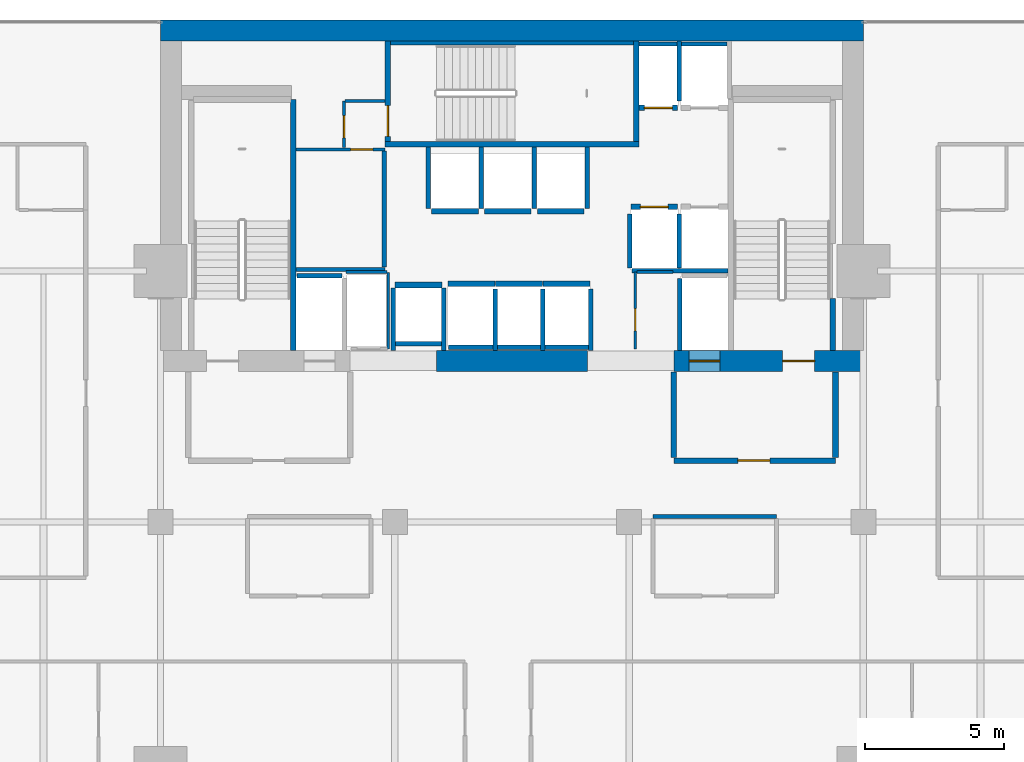
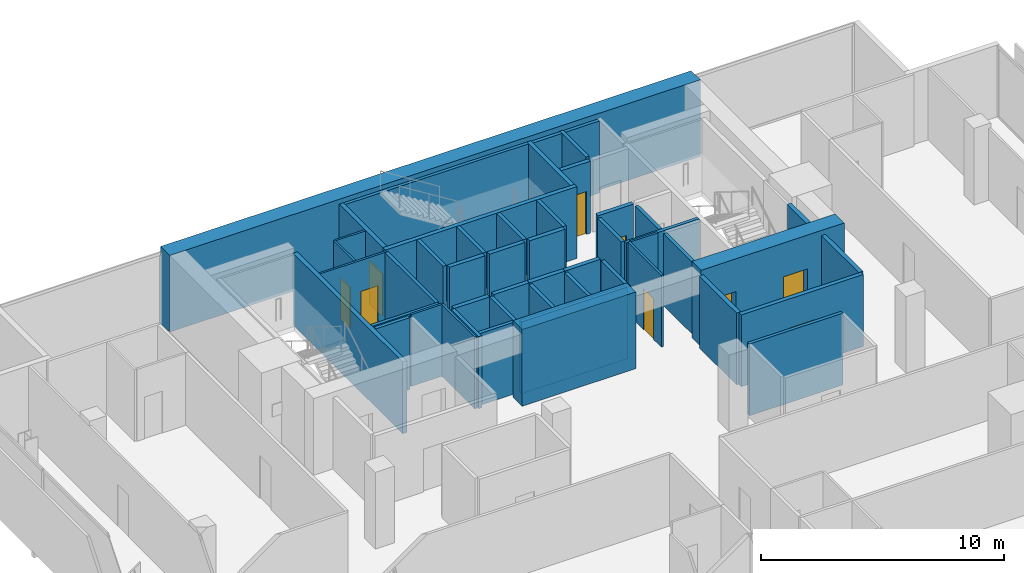
# One storey, part 29 of 32: 49 walls, 9 doors, 9 openings.
"""IFC4 building model written with IfcOpenShell, lengths in metres."""

from ifc_helpers import new_model, si_unit, direction, frame, frame_2d, origin, place, context, subcontext, project, spatial, rectangle, extrude, material, layer, layer_set, type_object, element, fill, save


model = new_model("IFC4")

# Units and contexts
model_context = context("Model", 3, precision=1e-05, world=origin(), true_north=direction((0.0, 1.0)))
body_context = subcontext(model_context, "Body", "Model", "MODEL_VIEW")
ifc_project = project(units=[si_unit("LENGTHUNIT", "METRE"), si_unit("AREAUNIT", "SQUARE_METRE"), si_unit("VOLUMEUNIT", "CUBIC_METRE"), si_unit("PLANEANGLEUNIT", "RADIAN"), si_unit("MASSUNIT", "GRAM", prefix="KILO")], contexts=[model_context])

# Site, building, storey
site_placement = place(None, origin())
site = spatial("IfcSite", under=ifc_project, at=site_placement, CompositionType="ELEMENT")
building_placement = place(site_placement, origin())
building = spatial("IfcBuilding", under=site, at=building_placement, Name="Maruvema Waterfront Hotel and Observation Tower", CompositionType="ELEMENT")
storey_placement = place(building_placement, frame((0.0, 0.0, 165.89990234375)))
storey = spatial("IfcBuildingStorey", under=building, at=storey_placement, Name="L40", CompositionType="ELEMENT", Elevation=165.89990234375)

# Walls
ifc_material_1 = material(Name="Twin-stud acoustic gypsum drywall", Category="gypsum")
ifc_layer_1 = layer(ifc_material_1, 0.14990234375, Name="Acoustic Corridor and Suite Demising Wall 150 mm")
ifc_layer_set_1 = layer_set([ifc_layer_1], Name="Twin-stud acoustic gypsum drywall")
wall_type_1 = type_object("IfcWallType", Name="Acoustic Corridor and Suite Demising Wall 150 mm", PredefinedType="PARTITIONING", material=ifc_layer_set_1)
wall_1_placement = place(storey_placement, frame((30.06005859375, 45.06005859375, 0.0), z_axis=(0.0, 0.0, 1.0), x_axis=(1.0, 0.0, 0.0)))
element("IfcWall", 1, at=wall_1_placement, inside=storey, type_object=wall_type_1, Name="L40 Freed B1 South Wall 012", PredefinedType="PARTITIONING", context=body_context, shape_type="SweptSolid", body=[
    extrude(rectangle(XDim=3.179931640625, YDim=0.14990234375, at=frame_2d((1.58984375, 0.0))), origin(), (0.0, 0.0, 1.0), 3.610107421875),
])
wall_2_placement = place(storey_placement, frame((33.219970703125, 45.139892578125, 0.0), z_axis=(0.0, 0.0, 1.0), x_axis=(0.0, 1.0, 0.0)))
element("IfcWall", 2, at=wall_2_placement, inside=storey, type_object=wall_type_1, Name="L40 Freed B1 East Wall 013", PredefinedType="PARTITIONING", context=body_context, shape_type="SweptSolid", body=[
    extrude(rectangle(XDim=4.16015625, YDim=0.14990234375, at=frame_2d((2.080078125, 0.0))), origin(), (0.0, 0.0, 1.0), 3.610107421875),
])
wall_3_placement = place(storey_placement, frame((42.85009765625, 36.199951171875, 0.0), z_axis=(0.0, 0.0, 1.0), x_axis=(1.0, 0.0, 0.0)))
element("IfcWall", 3, at=wall_3_placement, inside=storey, type_object=wall_type_1, Name="L40 L40-M2 Back Wall 021", PredefinedType="PARTITIONING", context=body_context, shape_type="SweptSolid", body=[
    extrude(rectangle(XDim=4.429931640625, YDim=0.14990234375, at=frame_2d((2.21484375, 0.0))), origin(), (0.0, 0.0, 1.0), 3.610107421875),
])
ifc_material_2 = material(Name="Precast concrete C45/55", Category="concrete")
ifc_layer_2 = layer(ifc_material_2, 0.14990234375, Name="Core Shaft Furring Wall 150 mm")
ifc_layer_set_2 = layer_set([ifc_layer_2], Name="Precast concrete C45/55")
wall_type_2 = type_object("IfcWallType", Name="Core Shaft Furring Wall 150 mm", PredefinedType="SOLIDWALL", material=ifc_layer_set_2)
wall_4_placement = place(storey_placement, frame((33.449951171875, 53.175048828125, 0.0), z_axis=(0.0, 0.0, 1.0), x_axis=(1.0, 0.0, 0.0)))
element("IfcWall", 4, at=wall_4_placement, inside=storey, type_object=wall_type_2, Name="L40 Stairwell ST-02 North Furring Wall", PredefinedType="SOLIDWALL", context=body_context, shape_type="SweptSolid", body=[
    extrude(rectangle(XDim=8.699951171875, YDim=0.14990234375, at=frame_2d((4.35009765625, 0.0))), origin(), (0.0, 0.0, 1.0), 3.610107421875),
])
ifc_material_3 = material(Name="Precast concrete C45/55", Category="concrete")
ifc_layer_3 = layer(ifc_material_3, 0.199951171875, Name="Core Shaft and Stairwell Enclosure Wall 200 mm")
ifc_layer_set_3 = layer_set([ifc_layer_3], Name="Precast concrete C45/55")
wall_type_3 = type_object("IfcWallType", Name="Core Shaft and Stairwell Enclosure Wall 200 mm", PredefinedType="SOLIDWALL", material=ifc_layer_set_3)
wall_5_placement = place(storey_placement, frame((29.949951171875, 42.14990234375, 0.0), z_axis=(0.0, 0.0, 1.0), x_axis=(0.0, 1.0, 0.0)))
element("IfcWall", 5, at=wall_5_placement, inside=storey, type_object=wall_type_3, Name="L40 Stairwell ST-01 East Shaft Wall", PredefinedType="SOLIDWALL", context=body_context, shape_type="SweptSolid", body=[
    extrude(rectangle(XDim=9.0, YDim=0.199951171875, at=frame_2d((4.5, 0.0))), origin(), (0.0, 0.0, 1.0), 3.610107421875),
])
wall_6_placement = place(storey_placement, frame((33.25, 49.550048828125, 0.0), z_axis=(0.0, 0.0, 1.0), x_axis=(1.0, 0.0, 0.0)))
element("IfcWall", 6, at=wall_6_placement, inside=storey, type_object=wall_type_3, Name="L40 Stairwell ST-02 Shaft Wall", PredefinedType="SOLIDWALL", context=body_context, shape_type="SweptSolid", body=[
    extrude(rectangle(XDim=9.10009765625, YDim=0.199951171875, at=frame_2d((4.550048828125, 0.0))), origin(), (0.0, 0.0, 1.0), 3.610107421875),
])
wall_7_placement = place(storey_placement, frame((42.25, 49.64990234375, 0.0), z_axis=(0.0, 0.0, 1.0), x_axis=(0.0, 1.0, 0.0)))
element("IfcWall", 7, at=wall_7_placement, inside=storey, type_object=wall_type_3, Name="L40 Stairwell ST-02 Shaft Wall", PredefinedType="SOLIDWALL", context=body_context, shape_type="SweptSolid", body=[
    extrude(rectangle(XDim=3.60009765625, YDim=0.199951171875, at=frame_2d((1.800048828125, 0.0))), origin(), (0.0, 0.0, 1.0), 3.610107421875),
])

# Wall, opening, door
wall_8_placement = place(storey_placement, frame((33.35009765625, 49.64990234375, 0.0), z_axis=(0.0, 0.0, 1.0), x_axis=(0.0, 1.0, 0.0)))
wall_8 = element("IfcWall", 8, at=wall_8_placement, inside=storey, type_object=wall_type_3, Name="L40 Stairwell ST-02 Shaft Wall", PredefinedType="SOLIDWALL", context=body_context, shape_type="SweptSolid", body=[
    extrude(rectangle(XDim=3.60009765625, YDim=0.199951171875, at=frame_2d((1.800048828125, 0.0))), origin(), (0.0, 0.0, 1.0), 3.610107421875),
])
opening_1_placement = place(wall_8_placement, frame((0.179931640625, 0.0, 0.0)))
opening_1 = element("IfcOpeningElement", 9, at=opening_1_placement, cuts=wall_8, Name="Opening SD-02", PredefinedType="OPENING", context=body_context, shape_type="SweptSolid", body=[
    extrude(rectangle(XDim=1.10009765625, YDim=2.14990234375, at=frame_2d((0.550048828125, 1.074951171875))), frame((0.0, 0.10986328125, 0.0), z_axis=(0.0, -1.0, 0.0), x_axis=(1.0, 0.0, 0.0)), (0.0, 0.0, 1.0), 0.219970703125),
])
ifc_material_4 = material(Name="Fire-rated galvanised steel leaf", Category="steel")
door_type_1 = type_object("IfcDoorType", Name="Central Exit Stair Fire Door 1100x2150 mm", OperationType="NOTDEFINED", PredefinedType="DOOR", material=ifc_material_4)
door_1_placement = place(opening_1_placement, frame((1.10009765625, 0.0, 0.0), z_axis=(0.0, 0.0, 1.0), x_axis=(-1.0, 0.0, 0.0)))
door_1 = element("IfcDoor", 10, at=door_1_placement, inside=storey, type_object=door_type_1, Name="L40 Exit Stair ST-02 Fire Door", OperationType="SINGLE_SWING_LEFT", OverallHeight=2.14990234375, OverallWidth=1.10009765625, PredefinedType="DOOR", context=body_context, shape_type="SweptSolid", body=[
    extrude(rectangle(XDim=1.10009765625, YDim=2.14990234375, at=frame_2d((0.550048828125, 1.074951171875))), frame((0.0, 0.02490234375, 0.0), z_axis=(0.0, -1.0, 0.0), x_axis=(1.0, 0.0, 0.0)), (0.0, 0.0, 1.0), 0.050048828125),
])
fill(opening_1, door_1)

# Wall
wall_9_placement = place(storey_placement, frame((49.300048828125, 42.14990234375, 0.0), z_axis=(0.0, 0.0, 1.0), x_axis=(0.0, 1.0, 0.0)))
element("IfcWall", 11, at=wall_9_placement, inside=storey, type_object=wall_type_3, Name="L40 Stairwell ST-03 Shaft Lining Wall", PredefinedType="SOLIDWALL", context=body_context, shape_type="SweptSolid", body=[
    extrude(rectangle(XDim=1.8701171875, YDim=0.199951171875, at=frame_2d((0.93505859375, 0.0))), origin(), (0.0, 0.0, 1.0), 3.610107421875),
])

# Wall, opening, door
wall_10_placement = place(storey_placement, frame((42.06005859375, 47.300048828125, 0.0), z_axis=(0.0, 0.0, 1.0), x_axis=(1.0, 0.0, 0.0)))
wall_10 = element("IfcWall", 12, at=wall_10_placement, inside=storey, type_object=wall_type_3, Name="L40 Lift LF-05 Hoistway Front Wall", PredefinedType="SOLIDWALL", context=body_context, shape_type="SweptSolid", body=[
    extrude(rectangle(XDim=1.679931640625, YDim=0.199951171875, at=frame_2d((0.83984375, 0.0))), origin(), (0.0, 0.0, 1.0), 3.610107421875),
])
opening_2_placement = place(wall_10_placement, frame((0.340087890625, 0.0, 0.0)))
opening_2 = element("IfcOpeningElement", 13, at=opening_2_placement, cuts=wall_10, Name="Opening LD-01", PredefinedType="OPENING", context=body_context, shape_type="SweptSolid", body=[
    extrude(rectangle(XDim=1.0, YDim=2.14990234375, at=frame_2d((0.5, 1.074951171875))), frame((0.0, 0.10986328125, 0.0), z_axis=(0.0, -1.0, 0.0), x_axis=(1.0, 0.0, 0.0)), (0.0, 0.0, 1.0), 0.219970703125),
])
ifc_material_5 = material(Name="Brushed stainless steel Grade 316", Category="steel")
door_type_2 = type_object("IfcDoorType", Name="Passenger Lift Sliding Landing Door 1000x2150 mm", OperationType="SLIDING_TO_LEFT", PredefinedType="DOOR", material=ifc_material_5)
door_2_placement = place(opening_2_placement, origin())
door_2 = element("IfcDoor", 14, at=door_2_placement, inside=storey, type_object=door_type_2, Name="L40 Lift LF-05 Sliding Landing Door", OperationType="SLIDING_TO_LEFT", OverallHeight=2.14990234375, OverallWidth=1.0, PredefinedType="DOOR", context=body_context, shape_type="SweptSolid", body=[
    extrude(rectangle(XDim=1.0, YDim=2.14990234375, at=frame_2d((0.5, 1.074951171875))), frame((0.0, 0.02490234375, 0.0), z_axis=(0.0, -1.0, 0.0), x_axis=(1.0, 0.0, 0.0)), (0.0, 0.0, 1.0), 0.050048828125),
])
fill(opening_2, door_2)

wall_11_placement = place(storey_placement, frame((42.360107421875, 50.85009765625, 0.0), z_axis=(0.0, 0.0, 1.0), x_axis=(1.0, 0.0, 0.0)))
wall_11 = element("IfcWall", 15, at=wall_11_placement, inside=storey, type_object=wall_type_3, Name="L40 Lift LF-07 Hoistway Front Wall", PredefinedType="SOLIDWALL", context=body_context, shape_type="SweptSolid", body=[
    extrude(rectangle(XDim=1.3798828125, YDim=0.199951171875, at=frame_2d((0.68994140625, 0.0))), origin(), (0.0, 0.0, 1.0), 3.610107421875),
])
opening_3_placement = place(wall_11_placement, frame((0.18994140625, 0.0, 0.0)))
opening_3 = element("IfcOpeningElement", 16, at=opening_3_placement, cuts=wall_11, Name="Opening LD-01", PredefinedType="OPENING", context=body_context, shape_type="SweptSolid", body=[
    extrude(rectangle(XDim=1.0, YDim=2.14990234375, at=frame_2d((0.5, 1.074951171875))), frame((0.0, 0.10986328125, 0.0), z_axis=(0.0, -1.0, 0.0), x_axis=(1.0, 0.0, 0.0)), (0.0, 0.0, 1.0), 0.219970703125),
])
door_3_placement = place(opening_3_placement, frame((1.0, 0.0, 0.0), z_axis=(0.0, 0.0, 1.0), x_axis=(-1.0, 0.0, 0.0)))
door_3 = element("IfcDoor", 17, at=door_3_placement, inside=storey, type_object=door_type_2, Name="L40 Lift LF-07 Sliding Landing Door", OperationType="SLIDING_TO_LEFT", OverallHeight=2.14990234375, OverallWidth=1.0, PredefinedType="DOOR", context=body_context, shape_type="SweptSolid", body=[
    extrude(rectangle(XDim=1.0, YDim=2.14990234375, at=frame_2d((0.5, 1.074951171875))), frame((0.0, 0.02490234375, 0.0), z_axis=(0.0, -1.0, 0.0), x_axis=(1.0, 0.0, 0.0)), (0.0, 0.0, 1.0), 0.050048828125),
])
fill(opening_3, door_3)

# Walls
for number, where, z_axis, x_axis, name in (
    (18, (35.510009765625, 44.550048828125, 0.0), (0.0, 0.0, 1.0), (1.0, 0.0, 0.0), "L40 Lift LF-09 Hoistway Front Wall"),
    (19, (37.2099609375, 44.550048828125, 0.0), (0.0, 0.0, 1.0), (1.0, 0.0, 0.0), "L40 Lift LF-10 Hoistway Front Wall"),
):
    element("IfcWall", number, at=place(storey_placement, frame(where, z_axis=z_axis, x_axis=x_axis)), inside=storey, type_object=wall_type_3, Name=name, PredefinedType="SOLIDWALL", context=body_context, shape_type="SweptSolid", body=[
        extrude(rectangle(XDim=1.679931640625, YDim=0.199951171875, at=frame_2d((0.83984375, 0.0))), origin(), (0.0, 0.0, 1.0), 3.610107421875),
    ])
for number, where, z_axis, x_axis, name in (
    (20, (38.909912109375, 44.550048828125, 0.0), (0.0, 0.0, 1.0), (1.0, 0.0, 0.0), "L40 Lift LF-11 Hoistway Front Wall"),
    (21, (34.909912109375, 47.14990234375, 0.0), (0.0, 0.0, 1.0), (1.0, 0.0, 0.0), "L40 Lift LF-12 Hoistway Front Wall"),
):
    element("IfcWall", number, at=place(storey_placement, frame(where, z_axis=z_axis, x_axis=x_axis)), inside=storey, type_object=wall_type_3, Name=name, PredefinedType="SOLIDWALL", context=body_context, shape_type="SweptSolid", body=[
        extrude(rectangle(XDim=1.68017578125, YDim=0.199951171875, at=frame_2d((0.840087890625, 0.0))), origin(), (0.0, 0.0, 1.0), 3.610107421875),
    ])
for number, where, z_axis, x_axis, name in (
    (22, (36.81005859375, 47.14990234375, 0.0), (0.0, 0.0, 1.0), (1.0, 0.0, 0.0), "L40 Lift LF-13 Hoistway Front Wall"),
    (23, (38.7099609375, 47.14990234375, 0.0), (0.0, 0.0, 1.0), (1.0, 0.0, 0.0), "L40 Lift LF-14 Hoistway Front Wall"),
    (24, (33.610107421875, 44.5, 0.0), (0.0, 0.0, 1.0), (1.0, 0.0, 0.0), "L40 Lift LF-15 Hoistway Front Wall"),
):
    element("IfcWall", number, at=place(storey_placement, frame(where, z_axis=z_axis, x_axis=x_axis)), inside=storey, type_object=wall_type_3, Name=name, PredefinedType="SOLIDWALL", context=body_context, shape_type="SweptSolid", body=[
        extrude(rectangle(XDim=1.679931640625, YDim=0.199951171875, at=frame_2d((0.83984375, 0.0))), origin(), (0.0, 0.0, 1.0), 3.610107421875),
    ])
ifc_material_6 = material(Name="Concrete C70/85", Category="concrete")
ifc_layer_4 = layer(ifc_material_6, 0.75, Name="Core Shear Wall 750 mm")
ifc_layer_set_4 = layer_set([ifc_layer_4], Name="Concrete C70/85")
wall_type_4 = type_object("IfcWallType", Name="Core Shear Wall 750 mm", PredefinedType="SHEAR", material=ifc_layer_set_4)
wall_12_placement = place(storey_placement, frame((25.199951171875, 53.625, 0.0), z_axis=(0.0, 0.0, 1.0), x_axis=(1.0, 0.0, 0.0)))
element("IfcWall", 25, at=wall_12_placement, inside=storey, type_object=wall_type_4, Name="L40 North Core Shear Wall", PredefinedType="SHEAR", context=body_context, shape_type="SweptSolid", body=[
    extrude(rectangle(XDim=25.199951171875, YDim=0.75, at=frame_2d((12.60009765625, 0.0))), origin(), (0.0, 0.0, 1.0), 3.85009765625),
])
wall_13_placement = place(storey_placement, frame((35.10009765625, 41.77490234375, 0.0), z_axis=(0.0, 0.0, 1.0), x_axis=(1.0, 0.0, 0.0)))
element("IfcWall", 26, at=wall_13_placement, inside=storey, type_object=wall_type_4, Name="L40 South-Central Core Shear Wall", PredefinedType="SHEAR", context=body_context, shape_type="SweptSolid", body=[
    extrude(rectangle(XDim=5.39990234375, YDim=0.75, at=frame_2d((2.699951171875, 0.0))), origin(), (0.0, 0.0, 1.0), 3.85009765625),
])

# Wall, openings, doors
wall_14_placement = place(storey_placement, frame((43.60009765625, 41.77490234375, 0.0), z_axis=(0.0, 0.0, 1.0), x_axis=(1.0, 0.0, 0.0)))
wall_14 = element("IfcWall", 27, at=wall_14_placement, inside=storey, type_object=wall_type_4, Name="L40 South-East Core Shear Wall", PredefinedType="SHEAR", context=body_context, shape_type="SweptSolid", body=[
    extrude(rectangle(XDim=6.7998046875, YDim=0.75, at=frame_2d((3.39990234375, 0.0))), origin(), (0.0, 0.0, 1.0), 3.85009765625),
])
opening_4_placement = place(wall_14_placement, frame((3.89990234375, 0.0, 0.0)))
opening_4 = element("IfcOpeningElement", 28, at=opening_4_placement, cuts=wall_14, Name="Opening SD-01", PredefinedType="OPENING", context=body_context, shape_type="SweptSolid", body=[
    extrude(rectangle(XDim=1.14990234375, YDim=2.14990234375, at=frame_2d((0.574951171875, 1.074951171875))), frame((0.0, 0.385009765625, 0.0), z_axis=(0.0, -1.0, 0.0), x_axis=(1.0, 0.0, 0.0)), (0.0, 0.0, 1.0), 0.77001953125),
])
opening_5_placement = place(wall_14_placement, frame((0.550048828125, 0.0, 0.0)))
opening_5 = element("IfcOpeningElement", 29, at=opening_5_placement, cuts=wall_14, Name="Opening LD-03", PredefinedType="OPENING", context=body_context, shape_type="SweptSolid", body=[
    extrude(rectangle(XDim=1.10009765625, YDim=2.199951171875, at=frame_2d((0.550048828125, 1.10009765625))), frame((0.0, 0.385009765625, 0.0), z_axis=(0.0, -1.0, 0.0), x_axis=(1.0, 0.0, 0.0)), (0.0, 0.0, 1.0), 0.77001953125),
])
ifc_material_7 = material(Name="Fire-rated galvanised steel leaf", Category="steel")
door_type_3 = type_object("IfcDoorType", Name="Exit Stair Fire Door 1150x2150 mm", OperationType="NOTDEFINED", PredefinedType="DOOR", material=ifc_material_7)
door_4_placement = place(opening_4_placement, origin())
door_4 = element("IfcDoor", 30, at=door_4_placement, inside=storey, type_object=door_type_3, Name="L40 Exit Stair ST-03 Fire Door", OperationType="SINGLE_SWING_RIGHT", OverallHeight=2.14990234375, OverallWidth=1.14990234375, PredefinedType="DOOR", context=body_context, shape_type="SweptSolid", body=[
    extrude(rectangle(XDim=1.14990234375, YDim=2.14990234375, at=frame_2d((0.574951171875, 1.074951171875))), frame((0.0, 0.02490234375, 0.0), z_axis=(0.0, -1.0, 0.0), x_axis=(1.0, 0.0, 0.0)), (0.0, 0.0, 1.0), 0.050048828125),
])
fill(opening_4, door_4)
ifc_material_8 = material(Name="Brushed stainless steel Grade 316", Category="steel")
door_type_4 = type_object("IfcDoorType", Name="Firefighting Lift Sliding Landing Door 1100x2200 mm", OperationType="SLIDING_TO_LEFT", PredefinedType="DOOR", material=ifc_material_8)
door_5_placement = place(opening_5_placement, frame((1.10009765625, 0.0, 0.0), z_axis=(0.0, 0.0, 1.0), x_axis=(-1.0, 0.0, 0.0)))
door_5 = element("IfcDoor", 31, at=door_5_placement, inside=storey, type_object=door_type_4, Name="L40 Firefighting Lift FL-02 Landing Door", OperationType="SLIDING_TO_LEFT", OverallHeight=2.199951171875, OverallWidth=1.10009765625, PredefinedType="DOOR", context=body_context, shape_type="SweptSolid", body=[
    extrude(rectangle(XDim=1.10009765625, YDim=2.199951171875, at=frame_2d((0.550048828125, 1.10009765625))), frame((0.0, 0.02490234375, 0.0), z_axis=(0.0, -1.0, 0.0), x_axis=(1.0, 0.0, 0.0)), (0.0, 0.0, 1.0), 0.050048828125),
])
fill(opening_5, door_5)

# Walls
ifc_material_9 = material(Name="Moisture-resistant cement-board drywall", Category="gypsum")
ifc_layer_5 = layer(ifc_material_9, 0.10009765625, Name="En-Suite Moisture-Resistant Partition 100 mm")
ifc_layer_set_5 = layer_set([ifc_layer_5], Name="Moisture-resistant cement-board drywall")
wall_type_5 = type_object("IfcWallType", Name="En-Suite Moisture-Resistant Partition 100 mm", PredefinedType="PARTITIONING", material=ifc_layer_set_5)
wall_15_placement = place(storey_placement, frame((31.840087890625, 44.9599609375, 0.0), z_axis=(0.0, 0.0, 1.0), x_axis=(1.0, 0.0, 0.0)))
element("IfcWall", 32, at=wall_15_placement, inside=storey, type_object=wall_type_5, Name="L40 Telecom Riser North Wall 008", PredefinedType="PARTITIONING", context=body_context, shape_type="SweptSolid", body=[
    extrude(rectangle(XDim=1.47998046875, YDim=0.10009765625, at=frame_2d((0.739990234375, 0.0))), origin(), (0.0, 0.0, 1.0), 3.610107421875),
])
wall_16_placement = place(storey_placement, frame((33.360107421875, 42.2099609375, 0.0), z_axis=(0.0, 0.0, 1.0), x_axis=(0.0, 1.0, 0.0)))
element("IfcWall", 33, at=wall_16_placement, inside=storey, type_object=wall_type_5, Name="L40 Telecom Riser East Wall 009", PredefinedType="PARTITIONING", context=body_context, shape_type="SweptSolid", body=[
    extrude(rectangle(XDim=2.72998046875, YDim=0.10009765625, at=frame_2d((1.364990234375, 0.0))), origin(), (0.0, 0.0, 1.0), 3.610107421875),
])

# Wall, opening, door
wall_17_placement = place(storey_placement, frame((42.219970703125, 42.199951171875, 0.0), z_axis=(0.0, 0.0, 1.0), x_axis=(0.0, 1.0, 0.0)))
wall_17 = element("IfcWall", 34, at=wall_17_placement, inside=storey, type_object=wall_type_5, Name="L40 Core Closet K1 West 010", PredefinedType="PARTITIONING", context=body_context, shape_type="SweptSolid", body=[
    extrude(rectangle(XDim=2.760009765625, YDim=0.10009765625, at=frame_2d((1.3798828125, 0.0))), origin(), (0.0, 0.0, 1.0), 3.610107421875),
])
opening_6_placement = place(wall_17_placement, frame((0.64990234375, 0.0, 0.0)))
opening_6 = element("IfcOpeningElement", 35, at=opening_6_placement, cuts=wall_17, Name="Opening DR-080", PredefinedType="OPENING", context=body_context, shape_type="SweptSolid", body=[
    extrude(rectangle(XDim=0.800048828125, YDim=2.050048828125, at=frame_2d((0.39990234375, 1.02490234375))), frame((0.0, 0.06005859375, 0.0), z_axis=(0.0, -1.0, 0.0), x_axis=(1.0, 0.0, 0.0)), (0.0, 0.0, 1.0), 0.1201171875),
])
ifc_material_10 = material(Name="Powder-coated steel access leaf", Category="steel")
door_type_5 = type_object("IfcDoorType", Name="Riser and Service Cupboard Door 800x2050 mm", OperationType="NOTDEFINED", PredefinedType="DOOR", material=ifc_material_10)
door_6_placement = place(opening_6_placement, frame((0.800048828125, 0.0, 0.0), z_axis=(0.0, 0.0, 1.0), x_axis=(-1.0, 0.0, 0.0)))
door_6 = element("IfcDoor", 36, at=door_6_placement, inside=storey, type_object=door_type_5, Name="L40 Core Cleaning Store Door", OperationType="SINGLE_SWING_RIGHT", OverallHeight=2.050048828125, OverallWidth=0.800048828125, PredefinedType="DOOR", context=body_context, shape_type="SweptSolid", body=[
    extrude(rectangle(XDim=0.800048828125, YDim=2.050048828125, at=frame_2d((0.39990234375, 1.02490234375))), frame((0.0, 0.02490234375, 0.0), z_axis=(0.0, -1.0, 0.0), x_axis=(1.0, 0.0, 0.0)), (0.0, 0.0, 1.0), 0.050048828125),
])
fill(opening_6, door_6)

# Wall
wall_18_placement = place(storey_placement, frame((42.280029296875, 44.9599609375, 0.0), z_axis=(0.0, 0.0, 1.0), x_axis=(1.0, 0.0, 0.0)))
element("IfcWall", 37, at=wall_18_placement, inside=storey, type_object=wall_type_5, Name="L40 Core Closet K1 North 011", PredefinedType="PARTITIONING", context=body_context, shape_type="SweptSolid", body=[
    extrude(rectangle(XDim=1.300048828125, YDim=0.10009765625, at=frame_2d((0.64990234375, 0.0))), origin(), (0.0, 0.0, 1.0), 3.610107421875),
])

# Wall, opening, door
wall_19_placement = place(storey_placement, frame((30.06005859375, 49.360107421875, 0.0), z_axis=(0.0, 0.0, 1.0), x_axis=(1.0, 0.0, 0.0)))
wall_19 = element("IfcWall", 38, at=wall_19_placement, inside=storey, type_object=wall_type_5, Name="L40 Freed B1 Mid Wall 014", PredefinedType="PARTITIONING", context=body_context, shape_type="SweptSolid", body=[
    extrude(rectangle(XDim=3.179931640625, YDim=0.10009765625, at=frame_2d((1.58984375, 0.0))), origin(), (0.0, 0.0, 1.0), 3.610107421875),
])
opening_7_placement = place(wall_19_placement, frame((1.949951171875, 0.0, 0.0)))
opening_7 = element("IfcOpeningElement", 39, at=opening_7_placement, cuts=wall_19, Name="Opening DR-080", PredefinedType="OPENING", context=body_context, shape_type="SweptSolid", body=[
    extrude(rectangle(XDim=0.800048828125, YDim=2.050048828125, at=frame_2d((0.39990234375, 1.02490234375))), frame((0.0, 0.06005859375, 0.0), z_axis=(0.0, -1.0, 0.0), x_axis=(1.0, 0.0, 0.0)), (0.0, 0.0, 1.0), 0.1201171875),
])
door_7_placement = place(opening_7_placement, origin())
door_7 = element("IfcDoor", 40, at=door_7_placement, inside=storey, type_object=door_type_5, Name="L40 Housekeeping and Linen Room Door", OperationType="SINGLE_SWING_LEFT", OverallHeight=2.050048828125, OverallWidth=0.800048828125, PredefinedType="DOOR", context=body_context, shape_type="SweptSolid", body=[
    extrude(rectangle(XDim=0.800048828125, YDim=2.050048828125, at=frame_2d((0.39990234375, 1.02490234375))), frame((0.0, 0.02490234375, 0.0), z_axis=(0.0, -1.0, 0.0), x_axis=(1.0, 0.0, 0.0)), (0.0, 0.0, 1.0), 0.050048828125),
])
fill(opening_7, door_7)

wall_20_placement = place(storey_placement, frame((31.780029296875, 49.419921875, 0.0), z_axis=(0.0, 0.0, 1.0), x_axis=(0.0, 1.0, 0.0)))
wall_20 = element("IfcWall", 41, at=wall_20_placement, inside=storey, type_object=wall_type_5, Name="L40 Freed B1 NW East Wall 015", PredefinedType="PARTITIONING", context=body_context, shape_type="SweptSolid", body=[
    extrude(rectangle(XDim=1.68017578125, YDim=0.10009765625, at=frame_2d((0.840087890625, 0.0))), origin(), (0.0, 0.0, 1.0), 3.610107421875),
])
opening_8_placement = place(wall_20_placement, frame((0.35009765625, 0.0, 0.0)))
opening_8 = element("IfcOpeningElement", 42, at=opening_8_placement, cuts=wall_20, Name="Opening DR-080", PredefinedType="OPENING", context=body_context, shape_type="SweptSolid", body=[
    extrude(rectangle(XDim=0.800048828125, YDim=2.050048828125, at=frame_2d((0.39990234375, 1.02490234375))), frame((0.0, 0.06005859375, 0.0), z_axis=(0.0, -1.0, 0.0), x_axis=(1.0, 0.0, 0.0)), (0.0, 0.0, 1.0), 0.1201171875),
])
door_8_placement = place(opening_8_placement, origin())
door_8 = element("IfcDoor", 43, at=door_8_placement, inside=storey, type_object=door_type_5, Name="L40 Guest Floor Pantry Door", OperationType="SINGLE_SWING_RIGHT", OverallHeight=2.050048828125, OverallWidth=0.800048828125, PredefinedType="DOOR", context=body_context, shape_type="SweptSolid", body=[
    extrude(rectangle(XDim=0.800048828125, YDim=2.050048828125, at=frame_2d((0.39990234375, 1.02490234375))), frame((0.0, 0.02490234375, 0.0), z_axis=(0.0, -1.0, 0.0), x_axis=(1.0, 0.0, 0.0)), (0.0, 0.0, 1.0), 0.050048828125),
])
fill(opening_8, door_8)

# Wall
wall_21_placement = place(storey_placement, frame((31.820068359375, 51.10009765625, 0.0), z_axis=(0.0, 0.0, 1.0), x_axis=(1.0, 0.0, 0.0)))
element("IfcWall", 44, at=wall_21_placement, inside=storey, type_object=wall_type_5, Name="L40 Freed B1 Vestibule North Wall 016", PredefinedType="PARTITIONING", context=body_context, shape_type="SweptSolid", body=[
    extrude(rectangle(XDim=1.419921875, YDim=0.10009765625, at=frame_2d((0.7099609375, 0.0))), origin(), (0.0, 0.0, 1.0), 3.610107421875),
])

# Wall, opening, door
ifc_material_11 = material(Name="Autoclaved cellular concrete blockwork", Category="masonry")
ifc_layer_6 = layer(ifc_material_11, 0.199951171875, Name="Fire Compartment Masonry Wall 200 mm")
ifc_layer_set_6 = layer_set([ifc_layer_6], Name="Autoclaved cellular concrete blockwork")
wall_type_6 = type_object("IfcWallType", Name="Fire Compartment Masonry Wall 200 mm", PredefinedType="PARTITIONING", material=ifc_layer_set_6)
wall_22_placement = place(storey_placement, frame((43.60009765625, 38.199951171875, 0.0), z_axis=(0.0, 0.0, 1.0), x_axis=(1.0, 0.0, 0.0)))
wall_22 = element("IfcWall", 45, at=wall_22_placement, inside=storey, type_object=wall_type_6, Name="L40 FFL East South Wall 004", PredefinedType="PARTITIONING", context=body_context, shape_type="SweptSolid", body=[
    extrude(rectangle(XDim=5.7998046875, YDim=0.199951171875, at=frame_2d((2.89990234375, 0.0))), origin(), (0.0, 0.0, 1.0), 3.610107421875),
])
opening_9_placement = place(wall_22_placement, frame((2.300048828125, 0.0, 0.0)))
opening_9 = element("IfcOpeningElement", 46, at=opening_9_placement, cuts=wall_22, Name="Opening FD-115", PredefinedType="OPENING", context=body_context, shape_type="SweptSolid", body=[
    extrude(rectangle(XDim=1.14990234375, YDim=2.14990234375, at=frame_2d((0.574951171875, 1.074951171875))), frame((0.0, 0.10986328125, 0.0), z_axis=(0.0, -1.0, 0.0), x_axis=(1.0, 0.0, 0.0)), (0.0, 0.0, 1.0), 0.219970703125),
])
ifc_material_12 = material(Name="Fire-rated galvanised steel and vision glass", Category="steel")
door_type_6 = type_object("IfcDoorType", Name="Firefighting Lobby Fire Door 1150x2150 mm", OperationType="NOTDEFINED", PredefinedType="DOOR", material=ifc_material_12)
door_9_placement = place(opening_9_placement, frame((1.14990234375, 0.0, 0.0), z_axis=(0.0, 0.0, 1.0), x_axis=(-1.0, 0.0, 0.0)))
door_9 = element("IfcDoor", 47, at=door_9_placement, inside=storey, type_object=door_type_6, Name="L40 Firefighting Lobby East Door", OperationType="SINGLE_SWING_RIGHT", OverallHeight=2.14990234375, OverallWidth=1.14990234375, PredefinedType="DOOR", context=body_context, shape_type="SweptSolid", body=[
    extrude(rectangle(XDim=1.14990234375, YDim=2.14990234375, at=frame_2d((0.574951171875, 1.074951171875))), frame((0.0, 0.02490234375, 0.0), z_axis=(0.0, -1.0, 0.0), x_axis=(1.0, 0.0, 0.0)), (0.0, 0.0, 1.0), 0.050048828125),
])
fill(opening_9, door_9)

# Walls
for number, where, z_axis, x_axis, name in (
    (48, (43.60009765625, 38.31005859375, 0.0), (0.0, 0.0, 1.0), (0.0, 1.0, 0.0), "L40 FFL East West Wall 005"),
    (49, (49.39990234375, 38.31005859375, 0.0), (0.0, 0.0, 1.0), (0.0, 1.0, 0.0), "L40 FFL East East Wall 006"),
):
    element("IfcWall", number, at=place(storey_placement, frame(where, z_axis=z_axis, x_axis=x_axis)), inside=storey, type_object=wall_type_6, Name=name, PredefinedType="PARTITIONING", context=body_context, shape_type="SweptSolid", body=[
        extrude(rectangle(XDim=3.06982421875, YDim=0.199951171875, at=frame_2d((1.534912109375, 0.0))), origin(), (0.0, 0.0, 1.0), 3.610107421875),
    ])
ifc_material_13 = material(Name="Precast concrete C45/55", Category="concrete")
ifc_layer_7 = layer(ifc_material_13, 0.159912109375, Name="Lift Hoistway Divider Wall 160 mm")
ifc_layer_set_7 = layer_set([ifc_layer_7], Name="Precast concrete C45/55")
wall_type_7 = type_object("IfcWallType", Name="Lift Hoistway Divider Wall 160 mm", PredefinedType="SOLIDWALL", material=ifc_layer_set_7)
wall_23_placement = place(storey_placement, frame((30.10009765625, 44.830078125, 0.0), z_axis=(0.0, 0.0, 1.0), x_axis=(1.0, 0.0, 0.0)))
element("IfcWall", 50, at=wall_23_placement, inside=storey, type_object=wall_type_7, Name="L40 Lift FL-01 Rear Hoistway Wall", PredefinedType="SOLIDWALL", context=body_context, shape_type="SweptSolid", body=[
    extrude(rectangle(XDim=1.599853515625, YDim=0.159912109375, at=frame_2d((0.7998046875, 0.0))), origin(), (0.0, 0.0, 1.0), 3.610107421875),
])
wall_24_placement = place(storey_placement, frame((43.820068359375, 42.14990234375, 0.0), z_axis=(0.0, 0.0, 1.0), x_axis=(0.0, 1.0, 0.0)))
element("IfcWall", 51, at=wall_24_placement, inside=storey, type_object=wall_type_7, Name="L40 Lift FL-02 Inner Hoistway Wall", PredefinedType="SOLIDWALL", context=body_context, shape_type="SweptSolid", body=[
    extrude(rectangle(XDim=2.590087890625, YDim=0.159912109375, at=frame_2d((1.294921875, 0.0))), origin(), (0.0, 0.0, 1.0), 3.610107421875),
])
for number, where, z_axis, x_axis, name in (
    (52, (42.02001953125, 45.10009765625, 0.0), (0.0, 0.0, 1.0), (0.0, 1.0, 0.0), "L40 Hoistway Divider Wall"),
    (53, (43.800048828125, 45.10009765625, 0.0), (0.0, 0.0, 1.0), (0.0, 1.0, 0.0), "L40 Hoistway Divider Wall"),
):
    element("IfcWall", number, at=place(storey_placement, frame(where, z_axis=z_axis, x_axis=x_axis)), inside=storey, type_object=wall_type_7, Name=name, PredefinedType="SOLIDWALL", context=body_context, shape_type="SweptSolid", body=[
        extrude(rectangle(XDim=1.949951171875, YDim=0.159912109375, at=frame_2d((0.97509765625, 0.0))), origin(), (0.0, 0.0, 1.0), 3.610107421875),
    ])
wall_25_placement = place(storey_placement, frame((42.10009765625, 45.010009765625, 0.0), z_axis=(0.0, 0.0, 1.0), x_axis=(1.0, 0.0, 0.0)))
element("IfcWall", 54, at=wall_25_placement, inside=storey, type_object=wall_type_7, Name="L40 Hoistway Divider Wall", PredefinedType="SOLIDWALL", context=body_context, shape_type="SweptSolid", body=[
    extrude(rectangle(XDim=3.449951171875, YDim=0.159912109375, at=frame_2d((1.72509765625, 0.0))), origin(), (0.0, 0.0, 1.0), 3.610107421875),
])
wall_26_placement = place(storey_placement, frame((43.800048828125, 51.10009765625, 0.0), z_axis=(0.0, 0.0, 1.0), x_axis=(0.0, 1.0, 0.0)))
element("IfcWall", 55, at=wall_26_placement, inside=storey, type_object=wall_type_7, Name="L40 Hoistway Divider Wall", PredefinedType="SOLIDWALL", context=body_context, shape_type="SweptSolid", body=[
    extrude(rectangle(XDim=2.14990234375, YDim=0.159912109375, at=frame_2d((1.074951171875, 0.0))), origin(), (0.0, 0.0, 1.0), 3.610107421875),
])
wall_27_placement = place(storey_placement, frame((42.360107421875, 53.139892578125, 0.0), z_axis=(0.0, 0.0, 1.0), x_axis=(1.0, 0.0, 0.0)))
element("IfcWall", 56, at=wall_27_placement, inside=storey, type_object=wall_type_7, Name="L40 Hoistway Divider Wall", PredefinedType="SOLIDWALL", context=body_context, shape_type="SweptSolid", body=[
    extrude(rectangle(XDim=3.139892578125, YDim=0.159912109375, at=frame_2d((1.56982421875, 0.0))), origin(), (0.0, 0.0, 1.0), 3.610107421875),
])
for number, where, z_axis, x_axis, name in (
    (57, (37.199951171875, 42.14990234375, 0.0), (0.0, 0.0, 1.0), (0.0, 1.0, 0.0), "L40 Hoistway Divider Wall"),
    (58, (38.89990234375, 42.14990234375, 0.0), (0.0, 0.0, 1.0), (0.0, 1.0, 0.0), "L40 Hoistway Divider Wall"),
    (59, (40.6201171875, 42.14990234375, 0.0), (0.0, 0.0, 1.0), (0.0, 1.0, 0.0), "L40 Hoistway Divider Wall"),
):
    element("IfcWall", number, at=place(storey_placement, frame(where, z_axis=z_axis, x_axis=x_axis)), inside=storey, type_object=wall_type_7, Name=name, PredefinedType="SOLIDWALL", context=body_context, shape_type="SweptSolid", body=[
        extrude(rectangle(XDim=2.2001953125, YDim=0.159912109375, at=frame_2d((1.10009765625, 0.0))), origin(), (0.0, 0.0, 1.0), 3.610107421875),
    ])
wall_28_placement = place(storey_placement, frame((35.52001953125, 42.260009765625, 0.0), z_axis=(0.0, 0.0, 1.0), x_axis=(1.0, 0.0, 0.0)))
element("IfcWall", 60, at=wall_28_placement, inside=storey, type_object=wall_type_7, Name="L40 Hoistway Divider Wall", PredefinedType="SOLIDWALL", context=body_context, shape_type="SweptSolid", body=[
    extrude(rectangle(XDim=5.02001953125, YDim=0.159912109375, at=frame_2d((2.510009765625, 0.0))), origin(), (0.0, 0.0, 1.0), 3.610107421875),
])
for number, where, z_axis, x_axis, name in (
    (61, (34.800048828125, 47.25, 0.0), (0.0, 0.0, 1.0), (0.0, 1.0, 0.0), "L40 Hoistway Divider Wall"),
    (62, (36.699951171875, 47.25, 0.0), (0.0, 0.0, 1.0), (0.0, 1.0, 0.0), "L40 Hoistway Divider Wall"),
    (63, (38.60009765625, 47.25, 0.0), (0.0, 0.0, 1.0), (0.0, 1.0, 0.0), "L40 Hoistway Divider Wall"),
    (64, (40.5, 47.25, 0.0), (0.0, 0.0, 1.0), (0.0, 1.0, 0.0), "L40 Hoistway Divider Wall"),
):
    element("IfcWall", number, at=place(storey_placement, frame(where, z_axis=z_axis, x_axis=x_axis)), inside=storey, type_object=wall_type_7, Name=name, PredefinedType="SOLIDWALL", context=body_context, shape_type="SweptSolid", body=[
        extrude(rectangle(XDim=2.18994140625, YDim=0.159912109375, at=frame_2d((1.094970703125, 0.0))), origin(), (0.0, 0.0, 1.0), 3.610107421875),
    ])
for number, where, z_axis, x_axis, name in (
    (65, (33.5400390625, 42.14990234375, 0.0), (0.0, 0.0, 1.0), (0.0, 1.0, 0.0), "L40 Hoistway Divider Wall"),
    (66, (35.360107421875, 42.14990234375, 0.0), (0.0, 0.0, 1.0), (0.0, 1.0, 0.0), "L40 Hoistway Divider Wall"),
):
    element("IfcWall", number, at=place(storey_placement, frame(where, z_axis=z_axis, x_axis=x_axis)), inside=storey, type_object=wall_type_7, Name=name, PredefinedType="SOLIDWALL", context=body_context, shape_type="SweptSolid", body=[
        extrude(rectangle(XDim=2.25, YDim=0.159912109375, at=frame_2d((1.125, 0.0))), origin(), (0.0, 0.0, 1.0), 3.610107421875),
    ])
wall_29_placement = place(storey_placement, frame((33.6201171875, 42.39990234375, 0.0), z_axis=(0.0, 0.0, 1.0), x_axis=(1.0, 0.0, 0.0)))
element("IfcWall", 67, at=wall_29_placement, inside=storey, type_object=wall_type_7, Name="L40 Hoistway Divider Wall", PredefinedType="SOLIDWALL", context=body_context, shape_type="SweptSolid", body=[
    extrude(rectangle(XDim=1.659912109375, YDim=0.159912109375, at=frame_2d((0.830078125, 0.0))), origin(), (0.0, 0.0, 1.0), 3.610107421875),
])

save(model, "model.ifc")
